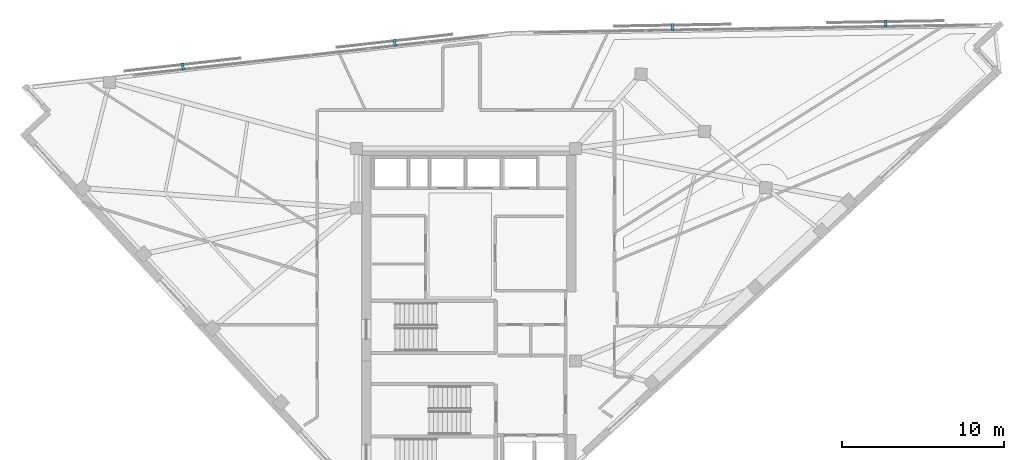
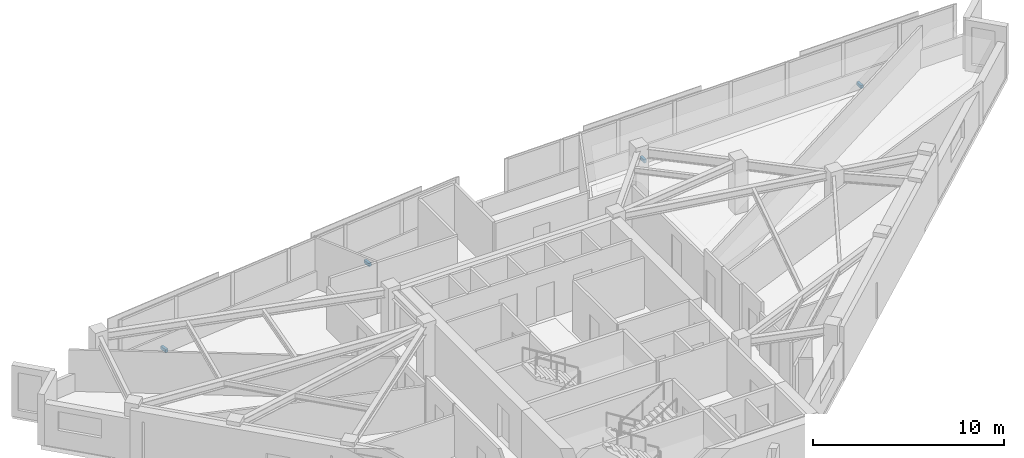
# One storey, part 11 of 13: 4 discrete accessories.
"""IFC4 building model written with IfcOpenShell, lengths in metres."""

from ifc_helpers import new_model, si_unit, direction, frame, origin, origin_2d, place, context, subcontext, project, spatial, rectangle, extrude, material, type_object, element, save


model = new_model("IFC4")

# Units and contexts
model_context = context("Model", 3, precision=1e-05, world=origin(), true_north=direction((0.0, 1.0)))
body_context = subcontext(model_context, "Body", "Model", "MODEL_VIEW")
ifc_project = project(units=[si_unit("LENGTHUNIT", "METRE"), si_unit("AREAUNIT", "SQUARE_METRE"), si_unit("VOLUMEUNIT", "CUBIC_METRE"), si_unit("PLANEANGLEUNIT", "RADIAN"), si_unit("MASSUNIT", "GRAM", prefix="KILO")], contexts=[model_context])

# Site, building, storey
site_placement = place(None, origin())
site = spatial("IfcSite", under=ifc_project, at=site_placement, CompositionType="ELEMENT")
building_placement = place(site_placement, origin())
building = spatial("IfcBuilding", under=site, at=building_placement, Name="Narakoshi Arena Tower", CompositionType="ELEMENT")
storey_placement = place(building_placement, frame((0.0, 0.0, 271.300048828125)))
storey = spatial("IfcBuildingStorey", under=building, at=storey_placement, Name="L74", CompositionType="ELEMENT", Elevation=271.300048828125)

# Discrete accessories
ifc_material = material(Name="Structural steel S355J2", Category="steel")
discrete_accessory_type = type_object("IfcDiscreteAccessoryType", Name="ACC-BRK-SCR", PredefinedType="BRACKET", material=ifc_material)
for number, where, z_axis, x_axis, name in (
    (1, (104.75634765625, 64.224609375, -0.080078125), (0.0, 0.0, 1.0), (-0.999864849778, -0.016440260879, 0.0), "L74 Solar Screen Support Bracket SHD-L74-SCR1-1"),
    (2, (91.55810546875, 64.007568359375, -0.080078125), (0.0, 0.0, 1.0), (-0.999864849778, -0.016440260879, 0.0), "L74 Solar Screen Support Bracket SHD-L74-SCR1-2"),
    (3, (74.374755859375, 63.040283203125, -0.080078125), (0.0, 0.0, 1.0), (-0.993775698738, -0.111399553846, 0.0), "L74 Solar Screen Support Bracket SHD-L74-SCR2-1"),
    (4, (61.2568359375, 61.56982421875, -0.080078125), (0.0, 0.0, 1.0), (-0.993775698738, -0.111399553846, 0.0), "L74 Solar Screen Support Bracket SHD-L74-SCR2-2"),
):
    element("IfcDiscreteAccessory", number, at=place(storey_placement, frame(where, z_axis=z_axis, x_axis=x_axis)), inside=storey, type_object=discrete_accessory_type, Name=name, PredefinedType="BRACKET", context=body_context, shape_type="SweptSolid", body=[
        extrude(rectangle(XDim=0.159912109375, YDim=0.43994140625, at=origin_2d()), origin(), (0.0, 0.0, 1.0), 0.199951171875),
    ])

save(model, "model.ifc")
